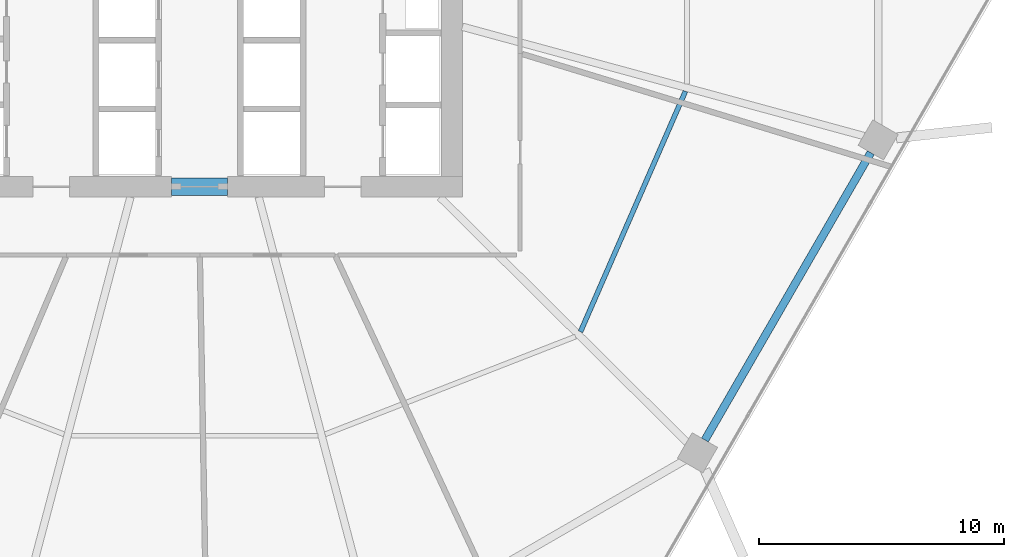
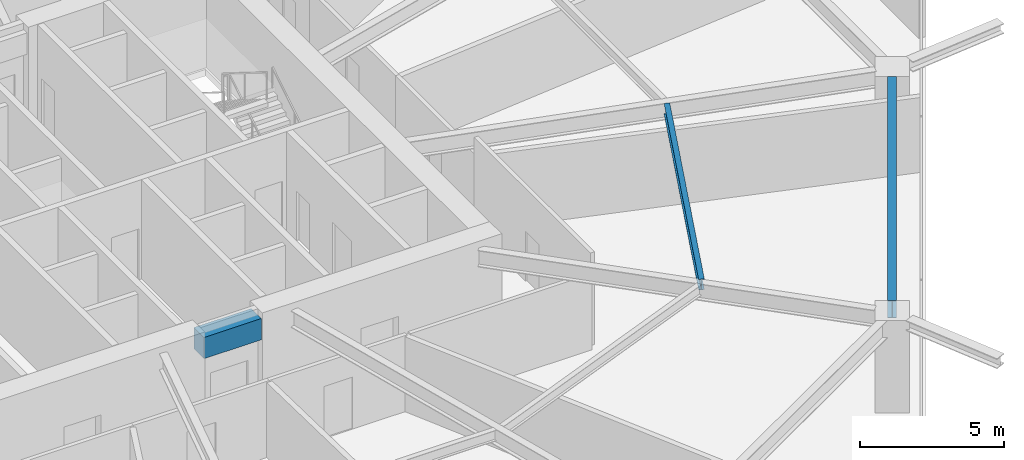
# One storey, part 10 of 25: 3 beams.
"""IFC4 building model written with IfcOpenShell, lengths in metres."""

from ifc_helpers import new_model, si_unit, direction, frame, origin, origin_2d, place, context, subcontext, project, spatial, rectangle, i_section, extrude, material, material_profile, profile_set, type_object, element, save


model = new_model("IFC4")

# Units and contexts
model_context = context("Model", 3, precision=1e-05, world=origin(), true_north=direction((0.0, 1.0)))
body_context = subcontext(model_context, "Body", "Model", "MODEL_VIEW")
ifc_project = project(units=[si_unit("LENGTHUNIT", "METRE"), si_unit("AREAUNIT", "SQUARE_METRE"), si_unit("VOLUMEUNIT", "CUBIC_METRE"), si_unit("PLANEANGLEUNIT", "RADIAN"), si_unit("MASSUNIT", "GRAM", prefix="KILO")], contexts=[model_context])

# Site, building, storey
site_placement = place(None, origin())
site = spatial("IfcSite", under=ifc_project, at=site_placement, CompositionType="ELEMENT")
building_placement = place(site_placement, origin())
building = spatial("IfcBuilding", under=site, at=building_placement, Name="Zuhravey Tower", CompositionType="ELEMENT")
storey_placement = place(building_placement, frame((0.0, 0.0, 54.0)))
storey = spatial("IfcBuildingStorey", under=building, at=storey_placement, Name="L13", CompositionType="ELEMENT", Elevation=54.0)

# Beams
ifc_material_1 = material(Name="Concrete C60/75", Category="concrete")
ifc_material_profile_1 = material_profile(ifc_material_1, rectangle(XDim=0.699951171875, YDim=0.89990234375, at=origin_2d()), Name="RC-700x900")
ifc_profile_set_1 = profile_set([ifc_material_profile_1], Name="Concrete C60/75")
beam_type_1 = type_object("IfcBeamType", Name="Core Coupling Beam RC700x900", PredefinedType="LINTEL", material=ifc_profile_set_1)
beam_1_placement = place(storey_placement, frame((35.052001953125, 22.5, 3.469970703125), z_axis=(1.0, 0.0, 0.0), x_axis=(0.0, 1.0, 0.0)))
element("IfcBeam", 1, at=beam_1_placement, inside=storey, type_object=beam_type_1, Name="L13 CB1 BM-L13-CB-S", PredefinedType="LINTEL", context=body_context, shape_type="SweptSolid", body=[
    extrude(rectangle(XDim=0.699951171875, YDim=0.89990234375, at=origin_2d()), origin(), (0.0, 0.0, 1.0), 2.2958984375),
])
ifc_material_2 = material(Name="Steel SM355", Category="steel")
ifc_material_profile_2 = material_profile(ifc_material_2, i_section(OverallWidth=0.320068359375, OverallDepth=0.75, WebThickness=0.013916015625, FlangeThickness=0.02490234375, at=origin_2d()), Name="H-750x320x14x25")
ifc_profile_set_2 = profile_set([ifc_material_profile_2], Name="Steel SM355")
beam_type_2 = type_object("IfcBeamType", Name="Perimeter Ring Beam H750x320", PredefinedType="BEAM", material=ifc_profile_set_2)
beam_2_placement = place(storey_placement, frame((56.820556640625, 12.165283203125, 3.544921875), z_axis=(0.499999877243, 0.866025474658, 0.0), x_axis=(-0.866025474658, 0.499999877243, 0.0)))
element("IfcBeam", 2, at=beam_2_placement, inside=storey, type_object=beam_type_2, Name="L13 PB1 BM-L13-PB-11", PredefinedType="BEAM", context=body_context, shape_type="SweptSolid", body=[
    extrude(i_section(OverallWidth=0.320068359375, OverallDepth=0.75, WebThickness=0.013916015625, FlangeThickness=0.02490234375, at=origin_2d()), origin(), (0.0, 0.0, 1.0), 13.5341796875),
])
ifc_material_profile_3 = material_profile(ifc_material_2, i_section(OverallWidth=0.199951171875, OverallDepth=0.449951171875, WebThickness=0.009033203125, FlangeThickness=0.013916015625, at=origin_2d()), Name="H-450x200x9x14")
ifc_profile_set_3 = profile_set([ifc_material_profile_3], Name="Steel SM355")
beam_type_3 = type_object("IfcBeamType", Name="Secondary Floor Joist H450x200", PredefinedType="JOIST", material=ifc_profile_set_3)
beam_3_placement = place(storey_placement, frame((51.7451171875, 16.58154296875, 3.695068359375), z_axis=(0.399923551578, 0.916548500022, 0.0), x_axis=(-0.916548500022, 0.399923551578, 0.0)))
element("IfcBeam", 3, at=beam_3_placement, inside=storey, type_object=beam_type_3, Name="L13 SJ1 BM-L13-SJ-11-1", PredefinedType="JOIST", context=body_context, shape_type="SweptSolid", body=[
    extrude(i_section(OverallWidth=0.199951171875, OverallDepth=0.449951171875, WebThickness=0.009033203125, FlangeThickness=0.013916015625, at=origin_2d()), origin(), (0.0, 0.0, 1.0), 10.70263671875),
])

save(model, "model.ifc")
